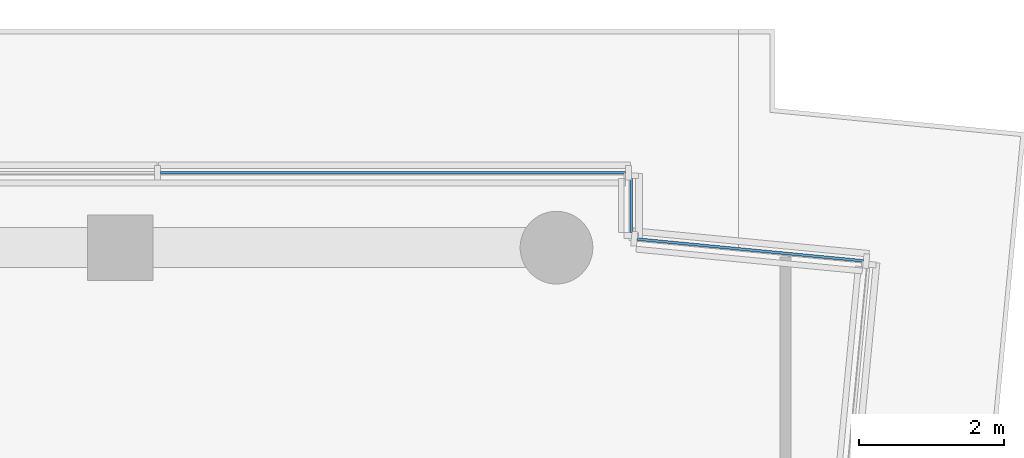
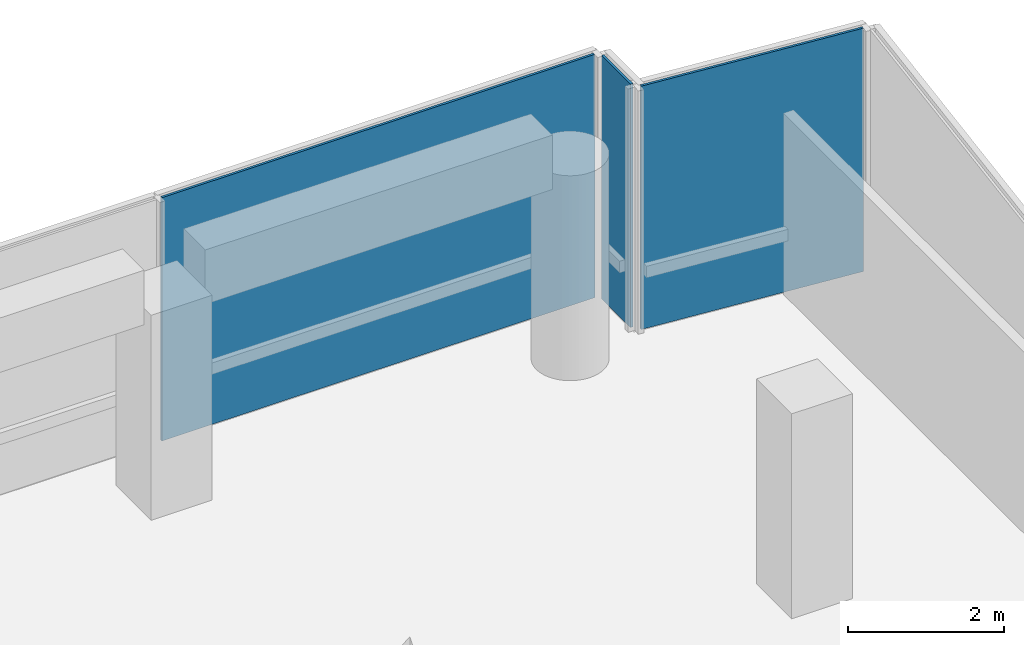
# One storey, part 8 of 13: 3 plates, 3 elements without a shape of their own.
"""IFC4 building model written with IfcOpenShell, lengths in metres."""

from ifc_helpers import new_model, si_unit, direction, frame, origin, origin_2d, place, context, subcontext, project, spatial, rectangle, extrude, material, layer, layer_set, type_object, element, aggregate, save


model = new_model("IFC4")

# Units and contexts
model_context = context("Model", 3, precision=1e-05, world=origin(), true_north=direction((0.0, 1.0)))
body_context = subcontext(model_context, "Body", "Model", "MODEL_VIEW")
ifc_project = project(units=[si_unit("LENGTHUNIT", "METRE"), si_unit("AREAUNIT", "SQUARE_METRE"), si_unit("VOLUMEUNIT", "CUBIC_METRE"), si_unit("PLANEANGLEUNIT", "RADIAN"), si_unit("MASSUNIT", "GRAM", prefix="KILO")], contexts=[model_context])

# Site, building, storey
site_placement = place(None, origin())
site = spatial("IfcSite", under=ifc_project, at=site_placement, CompositionType="ELEMENT")
building_placement = place(site_placement, origin())
building = spatial("IfcBuilding", under=site, at=building_placement, Name="Welwitschia Terrace Campus", CompositionType="ELEMENT")
storey_placement = place(building_placement, frame((0.0, 0.0, 251.60009765625)))
storey = spatial("IfcBuildingStorey", under=building, at=storey_placement, Name="L56", CompositionType="ELEMENT", Elevation=251.60009765625)

# Curtain wall, plate
ifc_material_1 = material(Name="Bronze anodised aluminium", Category="aluminium")
ifc_layer_1 = layer(ifc_material_1, 0.199951171875)
ifc_layer_set_1 = layer_set([ifc_layer_1], Name="Bronze anodised aluminium")
curtain_wall_type = type_object("IfcCurtainWallType", Name="Curtain wall CW6 plant floor 6000", PredefinedType="NOTDEFINED", material=ifc_layer_set_1)
curtain_wall_1_placement = place(storey_placement, origin())
curtain_wall_1 = element("IfcCurtainWall", 1, at=curtain_wall_1_placement, inside=storey, type_object=curtain_wall_type, Name="CW L56.11.0", PredefinedType="NOTDEFINED")
ifc_material_2 = material(Name="Tinted bronze-grey glass", Category="glass")
ifc_layer_2 = layer(ifc_material_2, 0.035888671875)
ifc_layer_set_2 = layer_set([ifc_layer_2], Name="Tinted bronze-grey glass")
plate_type = type_object("IfcPlateType", Name="Glass panel 36 laminated", PredefinedType="CURTAIN_PANEL", material=ifc_layer_set_2)
plate_1_placement = place(storey_placement, frame((26.664794921875, 69.96826171875, 0.0), z_axis=(0.0, 0.0, 1.0), x_axis=(-0.995396198367, 0.09584575252, 0.0)))
plate_1 = element("IfcPlate", 2, at=plate_1_placement, type_object=plate_type, Name="Panel L56.11.0.0", PredefinedType="CURTAIN_PANEL", context=body_context, shape_type="SweptSolid", body=[
    extrude(rectangle(XDim=3.12451171875, YDim=0.035888671875, at=origin_2d()), origin(), (0.0, 0.0, 1.0), 3.800048828125),
])
aggregate(curtain_wall_1, [plate_1])

curtain_wall_2_placement = place(storey_placement, origin())
curtain_wall_2 = element("IfcCurtainWall", 3, at=curtain_wall_2_placement, inside=storey, type_object=curtain_wall_type, Name="CW L56.12.0", PredefinedType="NOTDEFINED")
plate_2_placement = place(storey_placement, frame((25.030029296875, 70.577880859375, 0.0), z_axis=(0.0, 0.0, 1.0), x_axis=(0.0, 1.0, 0.0)))
plate_2 = element("IfcPlate", 4, at=plate_2_placement, type_object=plate_type, Name="Panel L56.12.0.0", PredefinedType="CURTAIN_PANEL", context=body_context, shape_type="SweptSolid", body=[
    extrude(rectangle(XDim=0.744384765625, YDim=0.035888671875, at=origin_2d()), origin(), (0.0, 0.0, 1.0), 3.800048828125),
])
aggregate(curtain_wall_2, [plate_2])

curtain_wall_3_placement = place(storey_placement, origin())
curtain_wall_3 = element("IfcCurtainWall", 5, at=curtain_wall_3_placement, inside=storey, type_object=curtain_wall_type, Name="CW L56.13.0", PredefinedType="NOTDEFINED")
plate_3_placement = place(storey_placement, frame((21.75244140625, 71.030029296875, 0.0), z_axis=(0.0, 0.0, 1.0), x_axis=(-1.0, 0.0, 0.0)))
plate_3 = element("IfcPlate", 6, at=plate_3_placement, type_object=plate_type, Name="Panel L56.13.0.0", PredefinedType="CURTAIN_PANEL", context=body_context, shape_type="SweptSolid", body=[
    extrude(rectangle(XDim=6.39501953125, YDim=0.035888671875, at=origin_2d()), origin(), (0.0, 0.0, 1.0), 3.800048828125),
])
aggregate(curtain_wall_3, [plate_3])

save(model, "model.ifc")
